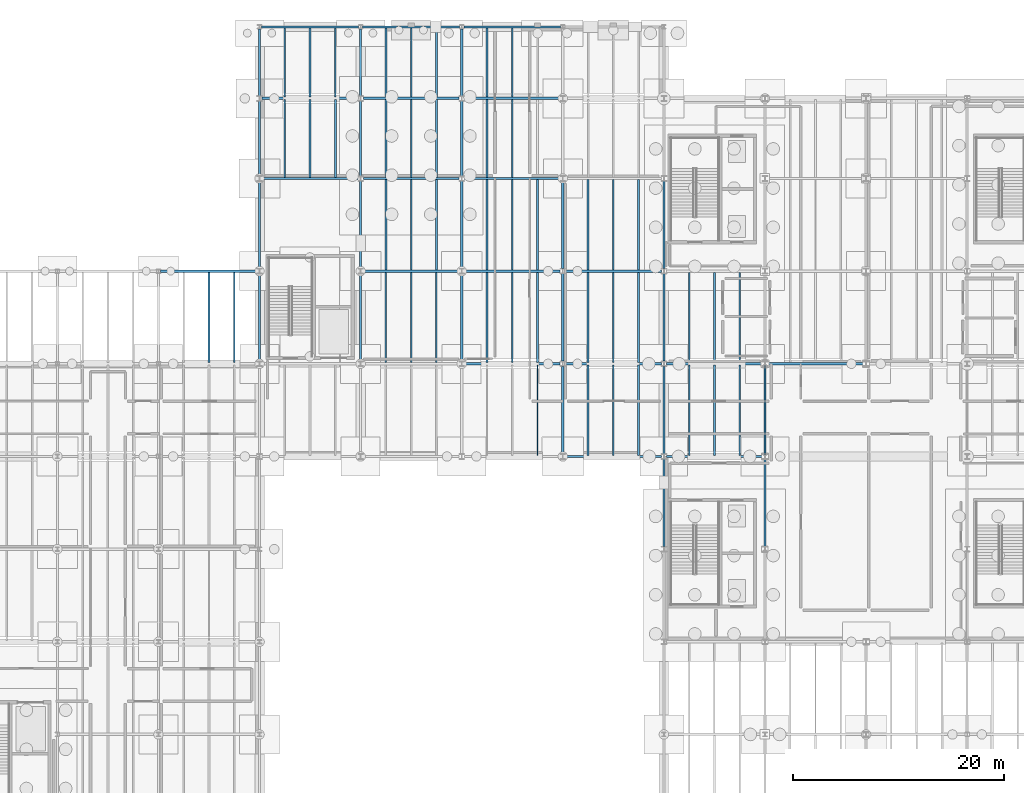
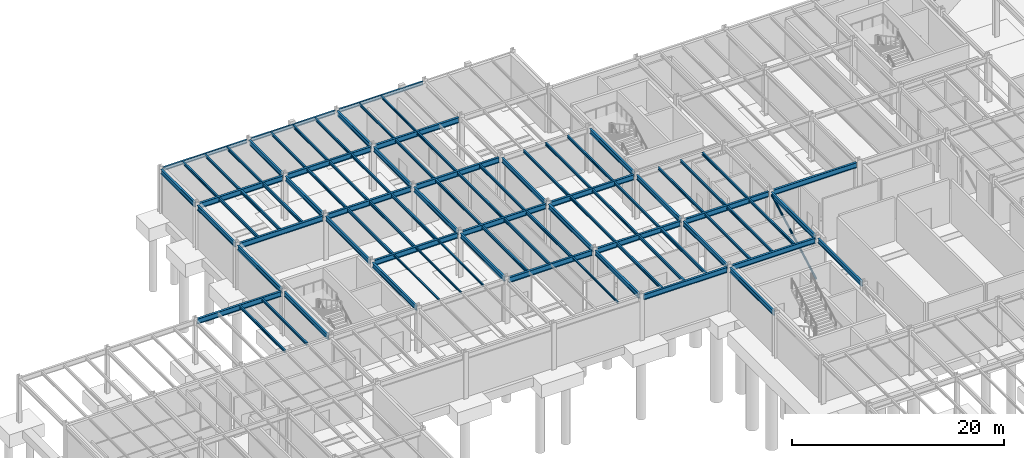
# One storey, part 21 of 48: 86 beams, 1 member.
"""IFC4 building model written with IfcOpenShell, lengths in metres."""

from ifc_helpers import new_model, si_unit, direction, frame, origin, origin_2d, place, context, subcontext, project, spatial, hollow_circle, i_section, extrude, material, material_profile, profile_set, type_object, element, save


model = new_model("IFC4")

# Units and contexts
model_context = context("Model", 3, precision=1e-05, world=origin(), true_north=direction((0.0, 1.0)))
body_context = subcontext(model_context, "Body", "Model", "MODEL_VIEW")
ifc_project = project(units=[si_unit("LENGTHUNIT", "METRE"), si_unit("AREAUNIT", "SQUARE_METRE"), si_unit("VOLUMEUNIT", "CUBIC_METRE"), si_unit("PLANEANGLEUNIT", "RADIAN"), si_unit("MASSUNIT", "GRAM", prefix="KILO")], contexts=[model_context])

# Site, building, storey
site_placement = place(None, origin())
site = spatial("IfcSite", under=ifc_project, at=site_placement, CompositionType="ELEMENT")
building_placement = place(site_placement, origin())
building = spatial("IfcBuilding", under=site, at=building_placement, Name="Sarnbrook Museum", CompositionType="ELEMENT")
storey_placement = place(building_placement, frame((0.0, 0.0, -5.39990234375)))
storey = spatial("IfcBuildingStorey", under=building, at=storey_placement, Name="B1", CompositionType="ELEMENT", Elevation=-5.39990234375)

# Beams
ifc_material_1 = material(Name="Structural Steel Grade 300PLUS (AS/NZS 3679.1, fy = 280 MPa for 17 < t <= 40 mm, 300 MPa for t <= 17 mm)", Category="steel")
ifc_material_profile_1 = material_profile(ifc_material_1, i_section(OverallWidth=0.208984375, OverallDepth=0.532958984375, WebThickness=0.01025390625, FlangeThickness=0.015625, FilletRadius=0.013916015625, at=origin_2d()), Name="530UB92.4")
ifc_profile_set_1 = profile_set([ifc_material_profile_1], Name="Structural Steel Grade 300PLUS (AS/NZS 3679.1, fy = 280 MPa for 17 < t <= 40 mm, 300 MPa for t <= 17 mm)")
beam_type_1 = type_object("IfcBeamType", Name="BM-UB530", PredefinedType="BEAM", material=ifc_profile_set_1)
for number, where, z_axis, x_axis, name in (
    (1, (42.39990234375, 83.445068359375, 4.823486328125), (0.0, 1.0, 0.0), (-1.0, 0.0, 0.0), "Girder 5:K-L B1"),
    (2, (42.39990234375, 92.2451171875, 4.823486328125), (0.0, 1.0, 0.0), (-1.0, 0.0, 0.0), "Girder 5:L-M B1"),
):
    element("IfcBeam", number, at=place(storey_placement, frame(where, z_axis=z_axis, x_axis=x_axis)), inside=storey, type_object=beam_type_1, Name=name, PredefinedType="BEAM", context=body_context, shape_type="SweptSolid", body=[
        extrude(i_section(OverallWidth=0.208984375, OverallDepth=0.532958984375, WebThickness=0.01025390625, FlangeThickness=0.015625, FilletRadius=0.013916015625, at=origin_2d()), origin(), (0.0, 0.0, 1.0), 8.309814453125),
    ])
beam_1_placement = place(storey_placement, frame((42.39990234375, 101.044921875, 4.823486328125), z_axis=(0.0, 1.0, 0.0), x_axis=(-1.0, 0.0, 0.0)))
element("IfcBeam", 3, at=beam_1_placement, inside=storey, type_object=beam_type_1, Name="Girder 5:M-N B1", PredefinedType="BEAM", context=body_context, shape_type="SweptSolid", body=[
    extrude(i_section(OverallWidth=0.208984375, OverallDepth=0.532958984375, WebThickness=0.01025390625, FlangeThickness=0.015625, FilletRadius=0.013916015625, at=origin_2d()), origin(), (0.0, 0.0, 1.0), 7.110107421875),
])
beam_2_placement = place(storey_placement, frame((42.39990234375, 108.64501953125, 4.823486328125), z_axis=(0.0, 1.0, 0.0), x_axis=(-1.0, 0.0, 0.0)))
element("IfcBeam", 4, at=beam_2_placement, inside=storey, type_object=beam_type_1, Name="Girder 5:N-P B1", PredefinedType="BEAM", context=body_context, shape_type="SweptSolid", body=[
    extrude(i_section(OverallWidth=0.208984375, OverallDepth=0.532958984375, WebThickness=0.01025390625, FlangeThickness=0.015625, FilletRadius=0.013916015625, at=origin_2d()), origin(), (0.0, 0.0, 1.0), 6.364013671875),
])
for number, where, z_axis, x_axis, name in (
    (5, (52.0, 83.445068359375, 4.823486328125), (0.0, 1.0, 0.0), (-1.0, 0.0, 0.0), "Girder 6:K-L B1"),
    (6, (52.0, 92.2451171875, 4.823486328125), (0.0, 1.0, 0.0), (-1.0, 0.0, 0.0), "Girder 6:L-M B1"),
):
    element("IfcBeam", number, at=place(storey_placement, frame(where, z_axis=z_axis, x_axis=x_axis)), inside=storey, type_object=beam_type_1, Name=name, PredefinedType="BEAM", context=body_context, shape_type="SweptSolid", body=[
        extrude(i_section(OverallWidth=0.208984375, OverallDepth=0.532958984375, WebThickness=0.01025390625, FlangeThickness=0.015625, FilletRadius=0.013916015625, at=origin_2d()), origin(), (0.0, 0.0, 1.0), 8.309814453125),
    ])
beam_3_placement = place(storey_placement, frame((52.0, 101.044921875, 4.823486328125), z_axis=(0.0, 1.0, 0.0), x_axis=(-1.0, 0.0, 0.0)))
element("IfcBeam", 7, at=beam_3_placement, inside=storey, type_object=beam_type_1, Name="Girder 6:M-N B1", PredefinedType="BEAM", context=body_context, shape_type="SweptSolid", body=[
    extrude(i_section(OverallWidth=0.208984375, OverallDepth=0.532958984375, WebThickness=0.01025390625, FlangeThickness=0.015625, FilletRadius=0.013916015625, at=origin_2d()), origin(), (0.0, 0.0, 1.0), 7.110107421875),
])
beam_4_placement = place(storey_placement, frame((52.0, 108.64501953125, 4.823486328125), z_axis=(0.0, 1.0, 0.0), x_axis=(-1.0, 0.0, 0.0)))
element("IfcBeam", 8, at=beam_4_placement, inside=storey, type_object=beam_type_1, Name="Girder 6:N-P B1", PredefinedType="BEAM", context=body_context, shape_type="SweptSolid", body=[
    extrude(i_section(OverallWidth=0.208984375, OverallDepth=0.532958984375, WebThickness=0.01025390625, FlangeThickness=0.015625, FilletRadius=0.013916015625, at=origin_2d()), origin(), (0.0, 0.0, 1.0), 6.364013671875),
])
for number, where, z_axis, x_axis, name in (
    (9, (61.60009765625, 83.445068359375, 4.823486328125), (0.0, 1.0, 0.0), (-1.0, 0.0, 0.0), "Girder 7:K-L B1"),
    (10, (61.60009765625, 92.2451171875, 4.823486328125), (0.0, 1.0, 0.0), (-1.0, 0.0, 0.0), "Girder 7:L-M B1"),
):
    element("IfcBeam", number, at=place(storey_placement, frame(where, z_axis=z_axis, x_axis=x_axis)), inside=storey, type_object=beam_type_1, Name=name, PredefinedType="BEAM", context=body_context, shape_type="SweptSolid", body=[
        extrude(i_section(OverallWidth=0.208984375, OverallDepth=0.532958984375, WebThickness=0.01025390625, FlangeThickness=0.015625, FilletRadius=0.013916015625, at=origin_2d()), origin(), (0.0, 0.0, 1.0), 8.309814453125),
    ])
beam_5_placement = place(storey_placement, frame((61.60009765625, 101.044921875, 4.823486328125), z_axis=(0.0, 1.0, 0.0), x_axis=(-1.0, 0.0, 0.0)))
element("IfcBeam", 11, at=beam_5_placement, inside=storey, type_object=beam_type_1, Name="Girder 7:M-N B1", PredefinedType="BEAM", context=body_context, shape_type="SweptSolid", body=[
    extrude(i_section(OverallWidth=0.208984375, OverallDepth=0.532958984375, WebThickness=0.01025390625, FlangeThickness=0.015625, FilletRadius=0.013916015625, at=origin_2d()), origin(), (0.0, 0.0, 1.0), 7.110107421875),
])
beam_6_placement = place(storey_placement, frame((61.60009765625, 108.64501953125, 4.823486328125), z_axis=(0.0, 1.0, 0.0), x_axis=(-1.0, 0.0, 0.0)))
element("IfcBeam", 12, at=beam_6_placement, inside=storey, type_object=beam_type_1, Name="Girder 7:N-P B1", PredefinedType="BEAM", context=body_context, shape_type="SweptSolid", body=[
    extrude(i_section(OverallWidth=0.208984375, OverallDepth=0.532958984375, WebThickness=0.01025390625, FlangeThickness=0.015625, FilletRadius=0.013916015625, at=origin_2d()), origin(), (0.0, 0.0, 1.0), 6.364013671875),
])
beam_7_placement = place(storey_placement, frame((71.199951171875, 74.64501953125, 4.823486328125), z_axis=(0.0, 1.0, 0.0), x_axis=(-1.0, 0.0, 0.0)))
element("IfcBeam", 13, at=beam_7_placement, inside=storey, type_object=beam_type_1, Name="Girder 8:J-K B1", PredefinedType="BEAM", context=body_context, shape_type="SweptSolid", body=[
    extrude(i_section(OverallWidth=0.208984375, OverallDepth=0.532958984375, WebThickness=0.01025390625, FlangeThickness=0.015625, FilletRadius=0.013916015625, at=origin_2d()), origin(), (0.0, 0.0, 1.0), 8.31005859375),
])
for number, where, z_axis, x_axis, name in (
    (14, (71.199951171875, 83.445068359375, 4.823486328125), (0.0, 1.0, 0.0), (-1.0, 0.0, 0.0), "Girder 8:K-L B1"),
    (15, (71.199951171875, 92.2451171875, 4.823486328125), (0.0, 1.0, 0.0), (-1.0, 0.0, 0.0), "Girder 8:L-M B1"),
):
    element("IfcBeam", number, at=place(storey_placement, frame(where, z_axis=z_axis, x_axis=x_axis)), inside=storey, type_object=beam_type_1, Name=name, PredefinedType="BEAM", context=body_context, shape_type="SweptSolid", body=[
        extrude(i_section(OverallWidth=0.208984375, OverallDepth=0.532958984375, WebThickness=0.01025390625, FlangeThickness=0.015625, FilletRadius=0.013916015625, at=origin_2d()), origin(), (0.0, 0.0, 1.0), 8.309814453125),
    ])
for number, where, z_axis, x_axis, name in (
    (16, (80.800048828125, 65.844970703125, 4.83349609375), (0.0, 1.0, 0.0), (-1.0, 0.0, 0.0), "Girder 9:H-J B1"),
    (17, (80.800048828125, 74.64501953125, 4.823486328125), (0.0, 1.0, 0.0), (-1.0, 0.0, 0.0), "Girder 9:J-K B1"),
):
    element("IfcBeam", number, at=place(storey_placement, frame(where, z_axis=z_axis, x_axis=x_axis)), inside=storey, type_object=beam_type_1, Name=name, PredefinedType="BEAM", context=body_context, shape_type="SweptSolid", body=[
        extrude(i_section(OverallWidth=0.208984375, OverallDepth=0.532958984375, WebThickness=0.01025390625, FlangeThickness=0.015625, FilletRadius=0.013916015625, at=origin_2d()), origin(), (0.0, 0.0, 1.0), 8.31005859375),
    ])
for number, where, z_axis, x_axis, name in (
    (18, (80.800048828125, 83.445068359375, 4.823486328125), (0.0, 1.0, 0.0), (-1.0, 0.0, 0.0), "Girder 9:K-L B1"),
    (19, (80.800048828125, 92.2451171875, 4.823486328125), (0.0, 1.0, 0.0), (-1.0, 0.0, 0.0), "Girder 9:L-M B1"),
):
    element("IfcBeam", number, at=place(storey_placement, frame(where, z_axis=z_axis, x_axis=x_axis)), inside=storey, type_object=beam_type_1, Name=name, PredefinedType="BEAM", context=body_context, shape_type="SweptSolid", body=[
        extrude(i_section(OverallWidth=0.208984375, OverallDepth=0.532958984375, WebThickness=0.01025390625, FlangeThickness=0.015625, FilletRadius=0.013916015625, at=origin_2d()), origin(), (0.0, 0.0, 1.0), 8.309814453125),
    ])
for number, where, z_axis, x_axis, name in (
    (20, (90.39990234375, 65.844970703125, 4.83349609375), (0.0, 1.0, 0.0), (-1.0, 0.0, 0.0), "Girder 10:H-J B1"),
    (21, (90.39990234375, 74.64501953125, 4.83349609375), (0.0, 1.0, 0.0), (-1.0, 0.0, 0.0), "Girder 10:J-K B1"),
):
    element("IfcBeam", number, at=place(storey_placement, frame(where, z_axis=z_axis, x_axis=x_axis)), inside=storey, type_object=beam_type_1, Name=name, PredefinedType="BEAM", context=body_context, shape_type="SweptSolid", body=[
        extrude(i_section(OverallWidth=0.208984375, OverallDepth=0.532958984375, WebThickness=0.01025390625, FlangeThickness=0.015625, FilletRadius=0.013916015625, at=origin_2d()), origin(), (0.0, 0.0, 1.0), 8.31005859375),
    ])
ifc_material_profile_2 = material_profile(ifc_material_1, i_section(OverallWidth=0.22900390625, OverallDepth=0.612060546875, WebThickness=0.011962890625, FlangeThickness=0.01953125, FilletRadius=0.013916015625, at=origin_2d()), Name="610UB125")
ifc_profile_set_2 = profile_set([ifc_material_profile_2], Name="Structural Steel Grade 300PLUS (AS/NZS 3679.1, fy = 280 MPa for 17 < t <= 40 mm, 300 MPa for t <= 17 mm)")
beam_type_2 = type_object("IfcBeamType", Name="BM-UB610H", PredefinedType="BEAM", material=ifc_profile_set_2)
beam_8_placement = place(storey_placement, frame((71.449951171875, 74.39990234375, 4.783935546875), z_axis=(1.0, 0.0, 0.0), x_axis=(0.0, 1.0, 0.0)))
element("IfcBeam", 22, at=beam_8_placement, inside=storey, type_object=beam_type_2, Name="Girder J:8-9 B1", PredefinedType="BEAM", context=body_context, shape_type="SweptSolid", body=[
    extrude(i_section(OverallWidth=0.22900390625, OverallDepth=0.612060546875, WebThickness=0.011962890625, FlangeThickness=0.01953125, FilletRadius=0.013916015625, at=origin_2d()), origin(), (0.0, 0.0, 1.0), 9.10009765625),
])
for number, where, z_axis, x_axis, name in (
    (23, (81.050048828125, 74.39990234375, 4.7939453125), (1.0, 0.0, 0.0), (0.0, 1.0, 0.0), "Girder J:9-10 B1"),
    (24, (61.85009765625, 83.199951171875, 4.783935546875), (1.0, 0.0, 0.0), (0.0, 1.0, 0.0), "Girder K:7-8 B1"),
):
    element("IfcBeam", number, at=place(storey_placement, frame(where, z_axis=z_axis, x_axis=x_axis)), inside=storey, type_object=beam_type_2, Name=name, PredefinedType="BEAM", context=body_context, shape_type="SweptSolid", body=[
        extrude(i_section(OverallWidth=0.22900390625, OverallDepth=0.612060546875, WebThickness=0.011962890625, FlangeThickness=0.01953125, FilletRadius=0.013916015625, at=origin_2d()), origin(), (0.0, 0.0, 1.0), 9.099853515625),
    ])
beam_9_placement = place(storey_placement, frame((71.449951171875, 83.199951171875, 4.783935546875), z_axis=(1.0, 0.0, 0.0), x_axis=(0.0, 1.0, 0.0)))
element("IfcBeam", 25, at=beam_9_placement, inside=storey, type_object=beam_type_2, Name="Girder K:8-9 B1", PredefinedType="BEAM", context=body_context, shape_type="SweptSolid", body=[
    extrude(i_section(OverallWidth=0.22900390625, OverallDepth=0.612060546875, WebThickness=0.011962890625, FlangeThickness=0.01953125, FilletRadius=0.013916015625, at=origin_2d()), origin(), (0.0, 0.0, 1.0), 9.10009765625),
])
beam_10_placement = place(storey_placement, frame((81.050048828125, 83.199951171875, 4.7939453125), z_axis=(1.0, 0.0, 0.0), x_axis=(0.0, 1.0, 0.0)))
element("IfcBeam", 26, at=beam_10_placement, inside=storey, type_object=beam_type_2, Name="Girder K:9-10 B1", PredefinedType="BEAM", context=body_context, shape_type="SweptSolid", body=[
    extrude(i_section(OverallWidth=0.22900390625, OverallDepth=0.612060546875, WebThickness=0.011962890625, FlangeThickness=0.01953125, FilletRadius=0.013916015625, at=origin_2d()), origin(), (0.0, 0.0, 1.0), 9.099853515625),
])
beam_11_placement = place(storey_placement, frame((90.64990234375, 83.199951171875, 4.7939453125), z_axis=(1.0, 0.0, 0.0), x_axis=(0.0, 1.0, 0.0)))
element("IfcBeam", 27, at=beam_11_placement, inside=storey, type_object=beam_type_2, Name="Girder K:10-11 B1", PredefinedType="BEAM", context=body_context, shape_type="SweptSolid", body=[
    extrude(i_section(OverallWidth=0.22900390625, OverallDepth=0.612060546875, WebThickness=0.011962890625, FlangeThickness=0.01953125, FilletRadius=0.013916015625, at=origin_2d()), origin(), (0.0, 0.0, 1.0), 9.10009765625),
])
beam_12_placement = place(storey_placement, frame((33.0, 92.0, 4.7939453125), z_axis=(1.0, 0.0, 0.0), x_axis=(0.0, 1.0, 0.0)))
element("IfcBeam", 28, at=beam_12_placement, inside=storey, type_object=beam_type_2, Name="Girder L:4-5 B1", PredefinedType="BEAM", context=body_context, shape_type="SweptSolid", body=[
    extrude(i_section(OverallWidth=0.22900390625, OverallDepth=0.612060546875, WebThickness=0.011962890625, FlangeThickness=0.01953125, FilletRadius=0.013916015625, at=origin_2d()), origin(), (0.0, 0.0, 1.0), 9.14990234375),
])
beam_13_placement = place(storey_placement, frame((52.25, 92.0, 4.783935546875), z_axis=(1.0, 0.0, 0.0), x_axis=(0.0, 1.0, 0.0)))
element("IfcBeam", 29, at=beam_13_placement, inside=storey, type_object=beam_type_2, Name="Girder L:6-7 B1", PredefinedType="BEAM", context=body_context, shape_type="SweptSolid", body=[
    extrude(i_section(OverallWidth=0.22900390625, OverallDepth=0.612060546875, WebThickness=0.011962890625, FlangeThickness=0.01953125, FilletRadius=0.013916015625, at=origin_2d()), origin(), (0.0, 0.0, 1.0), 9.10009765625),
])
beam_14_placement = place(storey_placement, frame((61.85009765625, 92.0, 4.783935546875), z_axis=(1.0, 0.0, 0.0), x_axis=(0.0, 1.0, 0.0)))
element("IfcBeam", 30, at=beam_14_placement, inside=storey, type_object=beam_type_2, Name="Girder L:7-8 B1", PredefinedType="BEAM", context=body_context, shape_type="SweptSolid", body=[
    extrude(i_section(OverallWidth=0.22900390625, OverallDepth=0.612060546875, WebThickness=0.011962890625, FlangeThickness=0.01953125, FilletRadius=0.013916015625, at=origin_2d()), origin(), (0.0, 0.0, 1.0), 9.099853515625),
])
for number, where, z_axis, x_axis, name in (
    (31, (71.449951171875, 92.0, 4.783935546875), (1.0, 0.0, 0.0), (0.0, 1.0, 0.0), "Girder L:8-9 B1"),
    (32, (42.64990234375, 100.800048828125, 4.783935546875), (1.0, 0.0, 0.0), (0.0, 1.0, 0.0), "Girder M:5-6 B1"),
    (33, (52.25, 100.800048828125, 4.783935546875), (1.0, 0.0, 0.0), (0.0, 1.0, 0.0), "Girder M:6-7 B1"),
):
    element("IfcBeam", number, at=place(storey_placement, frame(where, z_axis=z_axis, x_axis=x_axis)), inside=storey, type_object=beam_type_2, Name=name, PredefinedType="BEAM", context=body_context, shape_type="SweptSolid", body=[
        extrude(i_section(OverallWidth=0.22900390625, OverallDepth=0.612060546875, WebThickness=0.011962890625, FlangeThickness=0.01953125, FilletRadius=0.013916015625, at=origin_2d()), origin(), (0.0, 0.0, 1.0), 9.10009765625),
    ])
beam_15_placement = place(storey_placement, frame((61.85009765625, 100.800048828125, 4.783935546875), z_axis=(1.0, 0.0, 0.0), x_axis=(0.0, 1.0, 0.0)))
element("IfcBeam", 34, at=beam_15_placement, inside=storey, type_object=beam_type_2, Name="Girder M:7-8 B1", PredefinedType="BEAM", context=body_context, shape_type="SweptSolid", body=[
    extrude(i_section(OverallWidth=0.22900390625, OverallDepth=0.612060546875, WebThickness=0.011962890625, FlangeThickness=0.01953125, FilletRadius=0.013916015625, at=origin_2d()), origin(), (0.0, 0.0, 1.0), 9.099853515625),
])
for number, where, z_axis, x_axis, name in (
    (35, (42.64990234375, 108.39990234375, 4.783935546875), (1.0, 0.0, 0.0), (0.0, 1.0, 0.0), "Girder N:5-6 B1"),
    (36, (52.25, 108.39990234375, 4.783935546875), (1.0, 0.0, 0.0), (0.0, 1.0, 0.0), "Girder N:6-7 B1"),
):
    element("IfcBeam", number, at=place(storey_placement, frame(where, z_axis=z_axis, x_axis=x_axis)), inside=storey, type_object=beam_type_2, Name=name, PredefinedType="BEAM", context=body_context, shape_type="SweptSolid", body=[
        extrude(i_section(OverallWidth=0.22900390625, OverallDepth=0.612060546875, WebThickness=0.011962890625, FlangeThickness=0.01953125, FilletRadius=0.013916015625, at=origin_2d()), origin(), (0.0, 0.0, 1.0), 9.10009765625),
    ])
beam_16_placement = place(storey_placement, frame((61.85009765625, 108.39990234375, 4.783935546875), z_axis=(1.0, 0.0, 0.0), x_axis=(0.0, 1.0, 0.0)))
element("IfcBeam", 37, at=beam_16_placement, inside=storey, type_object=beam_type_2, Name="Girder N:7-8 B1", PredefinedType="BEAM", context=body_context, shape_type="SweptSolid", body=[
    extrude(i_section(OverallWidth=0.22900390625, OverallDepth=0.612060546875, WebThickness=0.011962890625, FlangeThickness=0.01953125, FilletRadius=0.013916015625, at=origin_2d()), origin(), (0.0, 0.0, 1.0), 9.099853515625),
])
ifc_material_profile_3 = material_profile(ifc_material_1, i_section(OverallWidth=0.134033203125, OverallDepth=0.20703125, WebThickness=0.00634765625, FlangeThickness=0.009521484375, FilletRadius=0.0087890625, at=origin_2d()), Name="200UB29.8")
ifc_profile_set_3 = profile_set([ifc_material_profile_3], Name="Structural Steel Grade 300PLUS (AS/NZS 3679.1, fy = 280 MPa for 17 < t <= 40 mm, 300 MPa for t <= 17 mm)")
beam_type_3 = type_object("IfcBeamType", Name="JS-UB200", PredefinedType="JOIST", material=ifc_profile_set_3)
for number, where, z_axis, x_axis, name in (
    (38, (54.39990234375, 83.314453125, 4.986328125), (0.0, 1.0, 0.0), (-1.0, 0.0, 0.0), "Composite Floor Joist 6K-1 B1"),
    (39, (56.800048828125, 83.314453125, 4.986328125), (0.0, 1.0, 0.0), (-1.0, 0.0, 0.0), "Composite Floor Joist 6K-2 B1"),
    (40, (59.199951171875, 83.314453125, 4.986328125), (0.0, 1.0, 0.0), (-1.0, 0.0, 0.0), "Composite Floor Joist 6K-3 B1"),
    (41, (68.800048828125, 74.514404296875, 4.986328125), (0.0, 1.0, 0.0), (-1.0, 0.0, 0.0), "Composite Floor Joist 7J-3 B1"),
):
    element("IfcBeam", number, at=place(storey_placement, frame(where, z_axis=z_axis, x_axis=x_axis)), inside=storey, type_object=beam_type_3, Name=name, PredefinedType="JOIST", context=body_context, shape_type="SweptSolid", body=[
        extrude(i_section(OverallWidth=0.134033203125, OverallDepth=0.20703125, WebThickness=0.00634765625, FlangeThickness=0.009521484375, FilletRadius=0.0087890625, at=origin_2d()), origin(), (0.0, 0.0, 1.0), 8.571044921875),
    ])
ifc_material_profile_4 = material_profile(ifc_material_1, i_section(OverallWidth=0.14599609375, OverallDepth=0.256103515625, WebThickness=0.00634765625, FlangeThickness=0.010986328125, FilletRadius=0.0087890625, at=origin_2d()), Name="250UB37.3")
ifc_profile_set_4 = profile_set([ifc_material_profile_4], Name="Structural Steel Grade 300PLUS (AS/NZS 3679.1, fy = 280 MPa for 17 < t <= 40 mm, 300 MPa for t <= 17 mm)")
beam_type_4 = type_object("IfcBeamType", Name="JS-UB250", PredefinedType="JOIST", material=ifc_profile_set_4)
for number, where, z_axis, x_axis, name in (
    (42, (64.0, 108.514404296875, 4.9619140625), (0.0, 1.0, 0.0), (-1.0, 0.0, 0.0), "Composite Floor Joist 7N-1 B1"),
    (43, (66.39990234375, 108.514404296875, 4.9619140625), (0.0, 1.0, 0.0), (-1.0, 0.0, 0.0), "Composite Floor Joist 7N-2 B1"),
):
    element("IfcBeam", number, at=place(storey_placement, frame(where, z_axis=z_axis, x_axis=x_axis)), inside=storey, type_object=beam_type_4, Name=name, PredefinedType="JOIST", context=body_context, shape_type="SweptSolid", body=[
        extrude(i_section(OverallWidth=0.14599609375, OverallDepth=0.256103515625, WebThickness=0.00634765625, FlangeThickness=0.010986328125, FilletRadius=0.0087890625, at=origin_2d()), origin(), (0.0, 0.0, 1.0), 6.5966796875),
    ])
ifc_material_profile_5 = material_profile(ifc_material_1, i_section(OverallWidth=0.1650390625, OverallDepth=0.303955078125, WebThickness=0.006103515625, FlangeThickness=0.01025390625, FilletRadius=0.011474609375, at=origin_2d()), Name="310UB40.4")
ifc_profile_set_5 = profile_set([ifc_material_profile_5], Name="Structural Steel Grade 300PLUS (AS/NZS 3679.1, fy = 280 MPa for 17 < t <= 40 mm, 300 MPa for t <= 17 mm)")
beam_type_5 = type_object("IfcBeamType", Name="JS-UB310", PredefinedType="JOIST", material=ifc_profile_set_5)
for number, where, z_axis, x_axis, name in (
    (44, (37.60009765625, 83.314453125, 4.947998046875), (0.0, 1.0, 0.0), (-1.0, 0.0, 0.0), "Composite Floor Joist 4K-2 B1"),
    (45, (40.0, 83.314453125, 4.947998046875), (0.0, 1.0, 0.0), (-1.0, 0.0, 0.0), "Composite Floor Joist 4K-3 B1"),
):
    element("IfcBeam", number, at=place(storey_placement, frame(where, z_axis=z_axis, x_axis=x_axis)), inside=storey, type_object=beam_type_5, Name=name, PredefinedType="JOIST", context=body_context, shape_type="SweptSolid", body=[
        extrude(i_section(OverallWidth=0.1650390625, OverallDepth=0.303955078125, WebThickness=0.006103515625, FlangeThickness=0.01025390625, FilletRadius=0.011474609375, at=origin_2d()), origin(), (0.0, 0.0, 1.0), 8.571044921875),
    ])
for number, where, z_axis, x_axis, name in (
    (46, (54.39990234375, 108.514404296875, 4.93798828125), (0.0, 1.0, 0.0), (-1.0, 0.0, 0.0), "Composite Floor Joist 6N-1 B1"),
    (47, (56.800048828125, 108.514404296875, 4.93798828125), (0.0, 1.0, 0.0), (-1.0, 0.0, 0.0), "Composite Floor Joist 6N-2 B1"),
    (48, (59.199951171875, 108.514404296875, 4.93798828125), (0.0, 1.0, 0.0), (-1.0, 0.0, 0.0), "Composite Floor Joist 6N-3 B1"),
):
    element("IfcBeam", number, at=place(storey_placement, frame(where, z_axis=z_axis, x_axis=x_axis)), inside=storey, type_object=beam_type_5, Name=name, PredefinedType="JOIST", context=body_context, shape_type="SweptSolid", body=[
        extrude(i_section(OverallWidth=0.1650390625, OverallDepth=0.303955078125, WebThickness=0.006103515625, FlangeThickness=0.01025390625, FilletRadius=0.011474609375, at=origin_2d()), origin(), (0.0, 0.0, 1.0), 6.5966796875),
    ])
for number, where, z_axis, x_axis, name in (
    (49, (64.0, 100.91455078125, 4.93798828125), (0.0, 1.0, 0.0), (-1.0, 0.0, 0.0), "Composite Floor Joist 7M-1 B1"),
    (50, (66.39990234375, 100.91455078125, 4.93798828125), (0.0, 1.0, 0.0), (-1.0, 0.0, 0.0), "Composite Floor Joist 7M-2 B1"),
):
    element("IfcBeam", number, at=place(storey_placement, frame(where, z_axis=z_axis, x_axis=x_axis)), inside=storey, type_object=beam_type_5, Name=name, PredefinedType="JOIST", context=body_context, shape_type="SweptSolid", body=[
        extrude(i_section(OverallWidth=0.1650390625, OverallDepth=0.303955078125, WebThickness=0.006103515625, FlangeThickness=0.01025390625, FilletRadius=0.011474609375, at=origin_2d()), origin(), (0.0, 0.0, 1.0), 7.370849609375),
    ])
for number, where, z_axis, x_axis, name in (
    (51, (73.60009765625, 92.114501953125, 4.93798828125), (0.0, 1.0, 0.0), (-1.0, 0.0, 0.0), "Composite Floor Joist 8L-1 B1"),
    (52, (76.0, 92.114501953125, 4.93798828125), (0.0, 1.0, 0.0), (-1.0, 0.0, 0.0), "Composite Floor Joist 8L-2 B1"),
    (53, (78.39990234375, 92.114501953125, 4.93798828125), (0.0, 1.0, 0.0), (-1.0, 0.0, 0.0), "Composite Floor Joist 8L-3 B1"),
    (54, (83.199951171875, 83.314453125, 4.947998046875), (0.0, 1.0, 0.0), (-1.0, 0.0, 0.0), "Composite Floor Joist 9K-1 B1"),
    (55, (85.60009765625, 83.314453125, 4.947998046875), (0.0, 1.0, 0.0), (-1.0, 0.0, 0.0), "Composite Floor Joist 9K-2 B1"),
    (56, (88.0, 83.314453125, 4.947998046875), (0.0, 1.0, 0.0), (-1.0, 0.0, 0.0), "Composite Floor Joist 9K-3 B1"),
):
    element("IfcBeam", number, at=place(storey_placement, frame(where, z_axis=z_axis, x_axis=x_axis)), inside=storey, type_object=beam_type_5, Name=name, PredefinedType="JOIST", context=body_context, shape_type="SweptSolid", body=[
        extrude(i_section(OverallWidth=0.1650390625, OverallDepth=0.303955078125, WebThickness=0.006103515625, FlangeThickness=0.01025390625, FilletRadius=0.011474609375, at=origin_2d()), origin(), (0.0, 0.0, 1.0), 8.571044921875),
    ])
ifc_material_profile_6 = material_profile(ifc_material_1, i_section(OverallWidth=0.166015625, OverallDepth=0.306884765625, WebThickness=0.006591796875, FlangeThickness=0.01171875, FilletRadius=0.011474609375, at=origin_2d()), Name="310UB46.2")
ifc_profile_set_6 = profile_set([ifc_material_profile_6], Name="Structural Steel Grade 300PLUS (AS/NZS 3679.1, fy = 280 MPa for 17 < t <= 40 mm, 300 MPa for t <= 17 mm)")
beam_type_6 = type_object("IfcBeamType", Name="JS-UB310H", PredefinedType="JOIST", material=ifc_profile_set_6)
for number, where, z_axis, x_axis, name in (
    (57, (44.800048828125, 108.514404296875, 4.9365234375), (0.0, 1.0, 0.0), (-1.0, 0.0, 0.0), "Composite Floor Joist 5N-1 B1"),
    (58, (47.199951171875, 108.514404296875, 4.9365234375), (0.0, 1.0, 0.0), (-1.0, 0.0, 0.0), "Composite Floor Joist 5N-2 B1"),
    (59, (49.60009765625, 108.514404296875, 4.9365234375), (0.0, 1.0, 0.0), (-1.0, 0.0, 0.0), "Composite Floor Joist 5N-3 B1"),
):
    element("IfcBeam", number, at=place(storey_placement, frame(where, z_axis=z_axis, x_axis=x_axis)), inside=storey, type_object=beam_type_6, Name=name, PredefinedType="JOIST", context=body_context, shape_type="SweptSolid", body=[
        extrude(i_section(OverallWidth=0.166015625, OverallDepth=0.306884765625, WebThickness=0.006591796875, FlangeThickness=0.01171875, FilletRadius=0.011474609375, at=origin_2d()), origin(), (0.0, 0.0, 1.0), 6.5966796875),
    ])
for number, where, z_axis, x_axis, name in (
    (60, (54.39990234375, 100.91455078125, 4.9365234375), (0.0, 1.0, 0.0), (-1.0, 0.0, 0.0), "Composite Floor Joist 6M-1 B1"),
    (61, (56.800048828125, 100.91455078125, 4.9365234375), (0.0, 1.0, 0.0), (-1.0, 0.0, 0.0), "Composite Floor Joist 6M-2 B1"),
    (62, (59.199951171875, 100.91455078125, 4.9365234375), (0.0, 1.0, 0.0), (-1.0, 0.0, 0.0), "Composite Floor Joist 6M-3 B1"),
):
    element("IfcBeam", number, at=place(storey_placement, frame(where, z_axis=z_axis, x_axis=x_axis)), inside=storey, type_object=beam_type_6, Name=name, PredefinedType="JOIST", context=body_context, shape_type="SweptSolid", body=[
        extrude(i_section(OverallWidth=0.166015625, OverallDepth=0.306884765625, WebThickness=0.006591796875, FlangeThickness=0.01171875, FilletRadius=0.011474609375, at=origin_2d()), origin(), (0.0, 0.0, 1.0), 7.370849609375),
    ])
for number, where, z_axis, x_axis, name in (
    (63, (64.0, 92.114501953125, 4.9365234375), (0.0, 1.0, 0.0), (-1.0, 0.0, 0.0), "Composite Floor Joist 7L-1 B1"),
    (64, (66.39990234375, 92.114501953125, 4.9365234375), (0.0, 1.0, 0.0), (-1.0, 0.0, 0.0), "Composite Floor Joist 7L-2 B1"),
    (65, (68.800048828125, 92.114501953125, 4.9365234375), (0.0, 1.0, 0.0), (-1.0, 0.0, 0.0), "Composite Floor Joist 7L-3 B1"),
    (66, (73.60009765625, 83.314453125, 4.9365234375), (0.0, 1.0, 0.0), (-1.0, 0.0, 0.0), "Composite Floor Joist 8K-1 B1"),
    (67, (76.0, 83.314453125, 4.9365234375), (0.0, 1.0, 0.0), (-1.0, 0.0, 0.0), "Composite Floor Joist 8K-2 B1"),
    (68, (78.39990234375, 83.314453125, 4.9365234375), (0.0, 1.0, 0.0), (-1.0, 0.0, 0.0), "Composite Floor Joist 8K-3 B1"),
    (69, (83.199951171875, 74.514404296875, 4.9462890625), (0.0, 1.0, 0.0), (-1.0, 0.0, 0.0), "Composite Floor Joist 9J-1 B1"),
    (70, (85.60009765625, 74.514404296875, 4.9462890625), (0.0, 1.0, 0.0), (-1.0, 0.0, 0.0), "Composite Floor Joist 9J-2 B1"),
    (71, (88.0, 74.514404296875, 4.9462890625), (0.0, 1.0, 0.0), (-1.0, 0.0, 0.0), "Composite Floor Joist 9J-3 B1"),
):
    element("IfcBeam", number, at=place(storey_placement, frame(where, z_axis=z_axis, x_axis=x_axis)), inside=storey, type_object=beam_type_6, Name=name, PredefinedType="JOIST", context=body_context, shape_type="SweptSolid", body=[
        extrude(i_section(OverallWidth=0.166015625, OverallDepth=0.306884765625, WebThickness=0.006591796875, FlangeThickness=0.01171875, FilletRadius=0.011474609375, at=origin_2d()), origin(), (0.0, 0.0, 1.0), 8.571044921875),
    ])
ifc_material_profile_7 = material_profile(ifc_material_1, i_section(OverallWidth=0.1708984375, OverallDepth=0.35595703125, WebThickness=0.00732421875, FlangeThickness=0.011474609375, FilletRadius=0.011474609375, at=origin_2d()), Name="360UB50.7")
ifc_profile_set_7 = profile_set([ifc_material_profile_7], Name="Structural Steel Grade 300PLUS (AS/NZS 3679.1, fy = 280 MPa for 17 < t <= 40 mm, 300 MPa for t <= 17 mm)")
beam_type_7 = type_object("IfcBeamType", Name="JS-UB360", PredefinedType="JOIST", material=ifc_profile_set_7)
for number, where, z_axis, x_axis, name in (
    (72, (44.800048828125, 100.91455078125, 4.911865234375), (0.0, 1.0, 0.0), (-1.0, 0.0, 0.0), "Composite Floor Joist 5M-1 B1"),
    (73, (47.199951171875, 100.91455078125, 4.911865234375), (0.0, 1.0, 0.0), (-1.0, 0.0, 0.0), "Composite Floor Joist 5M-2 B1"),
    (74, (49.60009765625, 100.91455078125, 4.911865234375), (0.0, 1.0, 0.0), (-1.0, 0.0, 0.0), "Composite Floor Joist 5M-3 B1"),
):
    element("IfcBeam", number, at=place(storey_placement, frame(where, z_axis=z_axis, x_axis=x_axis)), inside=storey, type_object=beam_type_7, Name=name, PredefinedType="JOIST", context=body_context, shape_type="SweptSolid", body=[
        extrude(i_section(OverallWidth=0.1708984375, OverallDepth=0.35595703125, WebThickness=0.00732421875, FlangeThickness=0.011474609375, FilletRadius=0.011474609375, at=origin_2d()), origin(), (0.0, 0.0, 1.0), 7.370849609375),
    ])
for number, where, z_axis, x_axis, name in (
    (75, (54.39990234375, 92.114501953125, 4.911865234375), (0.0, 1.0, 0.0), (-1.0, 0.0, 0.0), "Composite Floor Joist 6L-1 B1"),
    (76, (56.800048828125, 92.114501953125, 4.911865234375), (0.0, 1.0, 0.0), (-1.0, 0.0, 0.0), "Composite Floor Joist 6L-2 B1"),
    (77, (59.199951171875, 92.114501953125, 4.911865234375), (0.0, 1.0, 0.0), (-1.0, 0.0, 0.0), "Composite Floor Joist 6L-3 B1"),
    (78, (64.0, 83.314453125, 4.911865234375), (0.0, 1.0, 0.0), (-1.0, 0.0, 0.0), "Composite Floor Joist 7K-1 B1"),
    (79, (66.39990234375, 83.314453125, 4.911865234375), (0.0, 1.0, 0.0), (-1.0, 0.0, 0.0), "Composite Floor Joist 7K-2 B1"),
    (80, (68.800048828125, 83.314453125, 4.911865234375), (0.0, 1.0, 0.0), (-1.0, 0.0, 0.0), "Composite Floor Joist 7K-3 B1"),
    (81, (73.60009765625, 74.514404296875, 4.911865234375), (0.0, 1.0, 0.0), (-1.0, 0.0, 0.0), "Composite Floor Joist 8J-1 B1"),
    (82, (76.0, 74.514404296875, 4.911865234375), (0.0, 1.0, 0.0), (-1.0, 0.0, 0.0), "Composite Floor Joist 8J-2 B1"),
    (83, (78.39990234375, 74.514404296875, 4.911865234375), (0.0, 1.0, 0.0), (-1.0, 0.0, 0.0), "Composite Floor Joist 8J-3 B1"),
):
    element("IfcBeam", number, at=place(storey_placement, frame(where, z_axis=z_axis, x_axis=x_axis)), inside=storey, type_object=beam_type_7, Name=name, PredefinedType="JOIST", context=body_context, shape_type="SweptSolid", body=[
        extrude(i_section(OverallWidth=0.1708984375, OverallDepth=0.35595703125, WebThickness=0.00732421875, FlangeThickness=0.011474609375, FilletRadius=0.011474609375, at=origin_2d()), origin(), (0.0, 0.0, 1.0), 8.571044921875),
    ])

# Member
ifc_material_2 = material(Name="Structural Steel Hollow Section Grade C350L0 (AS/NZS 1163, fy = 350 MPa)", Category="steel")
ifc_material_profile_8 = material_profile(ifc_material_2, hollow_circle(Radius=0.109619140625, WallThickness=0.00830078125, at=origin_2d()), Name="219.1x8.2CHS")
ifc_profile_set_8 = profile_set([ifc_material_profile_8], Name="Structural Steel Hollow Section Grade C350L0 (AS/NZS 1163, fy = 350 MPa)")
member_type = type_object("IfcMemberType", Name="MB-CHS219", PredefinedType="BRACE", material=ifc_profile_set_8)
member_placement = place(storey_placement, frame((90.39990234375, 74.580078125, 0.119873046875), z_axis=(0.0, 0.876734792147, 0.480974120135), x_axis=(-1.0, 0.0, 0.0)))
element("IfcMember", 84, at=member_placement, inside=storey, type_object=member_type, Name="Lateral Diagonal Brace CBF-3 B1", PredefinedType="BRACE", context=body_context, shape_type="SweptSolid", body=[
    extrude(hollow_circle(Radius=0.109619140625, WallThickness=0.00830078125, at=origin_2d()), origin(), (0.0, 0.0, 1.0), 9.62646484375),
])

# Beams
ifc_material_profile_9 = material_profile(ifc_material_1, i_section(OverallWidth=0.177978515625, OverallDepth=0.406005859375, WebThickness=0.0078125, FlangeThickness=0.0126953125, FilletRadius=0.011474609375, at=origin_2d()), Name="410UB59.7")
ifc_profile_set_9 = profile_set([ifc_material_profile_9], Name="Structural Steel Grade 300PLUS (AS/NZS 3679.1, fy = 280 MPa for 17 < t <= 40 mm, 300 MPa for t <= 17 mm)")
beam_type_8 = type_object("IfcBeamType", Name="SP-UB410", PredefinedType="SPANDREL", material=ifc_profile_set_9)
for number, where, z_axis, x_axis, name in (
    (85, (42.60009765625, 115.199951171875, 4.886962890625), (1.0, 0.0, 0.0), (0.0, 1.0, 0.0), "Girder P:5-6 B1"),
    (86, (52.199951171875, 115.199951171875, 4.886962890625), (1.0, 0.0, 0.0), (0.0, 1.0, 0.0), "Girder P:6-7 B1"),
    (87, (61.800048828125, 115.199951171875, 4.886962890625), (1.0, 0.0, 0.0), (0.0, 1.0, 0.0), "Girder P:7-8 B1"),
):
    element("IfcBeam", number, at=place(storey_placement, frame(where, z_axis=z_axis, x_axis=x_axis)), inside=storey, type_object=beam_type_8, Name=name, PredefinedType="SPANDREL", context=body_context, shape_type="SweptSolid", body=[
        extrude(i_section(OverallWidth=0.177978515625, OverallDepth=0.406005859375, WebThickness=0.0078125, FlangeThickness=0.0126953125, FilletRadius=0.011474609375, at=origin_2d()), origin(), (0.0, 0.0, 1.0), 9.199951171875),
    ])

save(model, "model.ifc")
